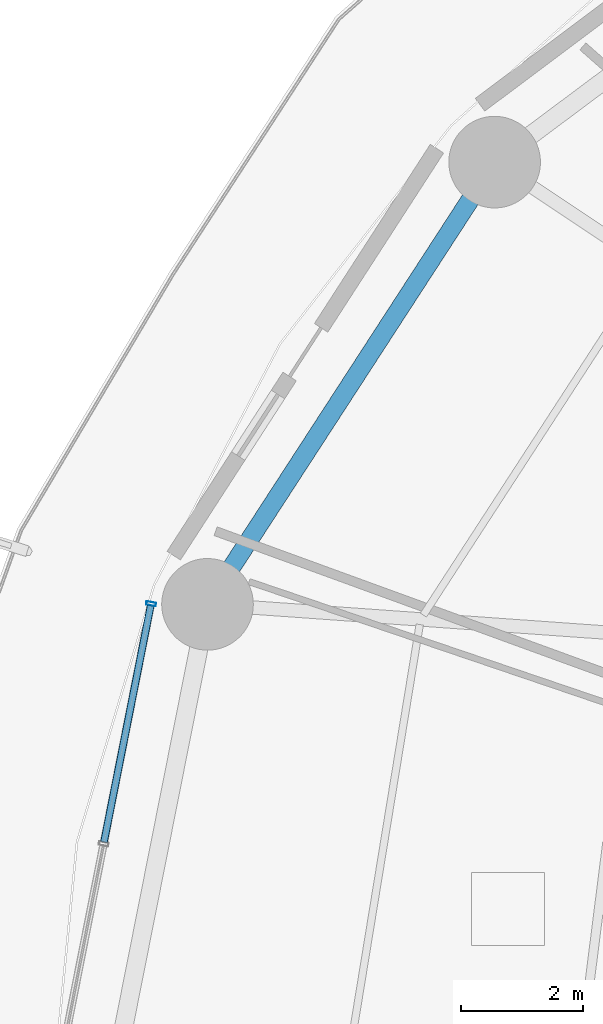
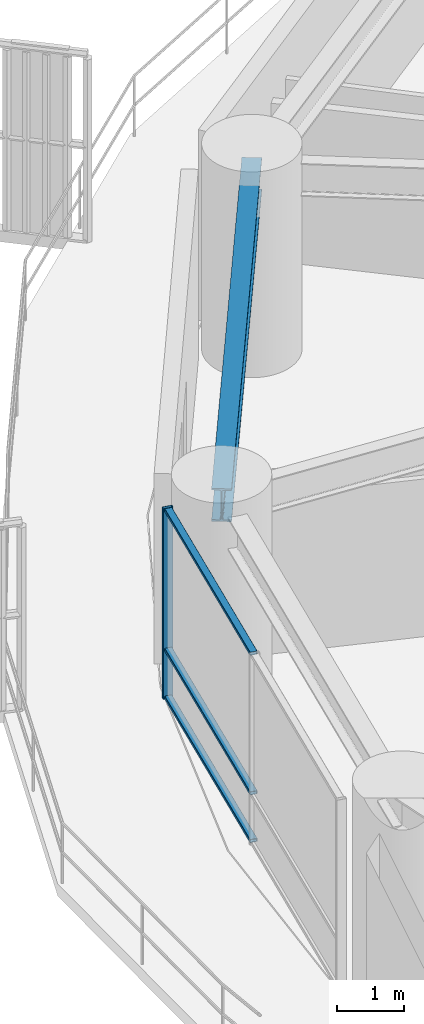
# One storey, part 15 of 33: 4 members, 1 beam, 1 element without a shape of its own.
"""IFC4 building model written with IfcOpenShell, lengths in metres."""

from ifc_helpers import new_model, si_unit, direction, frame, origin, origin_2d, place, context, subcontext, project, spatial, hollow_rectangle, i_section, extrude, material, layer, layer_set, material_profile, profile_set, type_object, element, aggregate, save


model = new_model("IFC4")

# Units and contexts
model_context = context("Model", 3, precision=1e-05, world=origin(), true_north=direction((0.0, 1.0)))
body_context = subcontext(model_context, "Body", "Model", "MODEL_VIEW")
ifc_project = project(units=[si_unit("LENGTHUNIT", "METRE"), si_unit("AREAUNIT", "SQUARE_METRE"), si_unit("VOLUMEUNIT", "CUBIC_METRE"), si_unit("PLANEANGLEUNIT", "RADIAN"), si_unit("MASSUNIT", "GRAM", prefix="KILO")], contexts=[model_context])

# Site, building, storey
site_placement = place(None, origin())
site = spatial("IfcSite", under=ifc_project, at=site_placement, CompositionType="ELEMENT")
building_placement = place(site_placement, origin())
building = spatial("IfcBuilding", under=site, at=building_placement, Name="Kelanora Arch Commons", CompositionType="ELEMENT")
storey_placement = place(building_placement, frame((0.0, 0.0, 41.25)))
storey = spatial("IfcBuildingStorey", under=building, at=storey_placement, Name="L10", CompositionType="ELEMENT", Elevation=41.25)

# Beam
ifc_material_1 = material(Name="Steel S355", Category="steel")
ifc_material_profile_1 = material_profile(ifc_material_1, i_section(OverallWidth=0.300048828125, OverallDepth=0.60009765625, WebThickness=0.015380859375, FlangeThickness=0.030029296875, FilletRadius=0.027099609375, at=origin_2d()), Name="HEB600")
ifc_profile_set_1 = profile_set([ifc_material_profile_1], Name="Steel S355")
beam_type = type_object("IfcBeamType", Name="BM-SPN-Z1", PredefinedType="SPANDREL", material=ifc_profile_set_1)
beam_placement = place(storey_placement, frame((53.255615234375, 73.478271484375, 3.18994140625), z_axis=(-0.544585813928, -0.838705127722, 0.0), x_axis=(0.838705127722, -0.544585813928, 0.0)))
element("IfcBeam", 1, at=beam_placement, inside=storey, type_object=beam_type, Name="Perimeter Spandrel Beam BS-14 L10", PredefinedType="SPANDREL", context=body_context, shape_type="SweptSolid", body=[
    extrude(i_section(OverallWidth=0.300048828125, OverallDepth=0.60009765625, WebThickness=0.015380859375, FlangeThickness=0.030029296875, FilletRadius=0.027099609375, at=origin_2d()), origin(), (0.0, 0.0, 1.0), 8.63525390625),
])

# Curtain wall, members
ifc_material_2 = material(Name="Terracotta ceramic-fritted low-E glass and aluminium", Category="masonry")
ifc_layer = layer(ifc_material_2, 0.159912109375)
ifc_layer_set = layer_set([ifc_layer], Name="Terracotta ceramic-fritted low-E glass and aluminium")
curtain_wall_type = type_object("IfcCurtainWallType", Name="CW-SYS-01", PredefinedType="NOTDEFINED", material=ifc_layer_set)
curtain_wall_placement = place(storey_placement, origin())
curtain_wall = element("IfcCurtainWall", 2, at=curtain_wall_placement, inside=storey, type_object=curtain_wall_type, Name="Unitised Curtain Wall L10-B08", PredefinedType="NOTDEFINED")
ifc_material_3 = material(Name="Powder-coated aluminium terracotta", Category="masonry")
ifc_material_profile_2 = material_profile(ifc_material_3, hollow_rectangle(XDim=0.159912109375, YDim=0.06005859375, WallThickness=0.0048828125, InnerFilletRadius=0.0048828125, OuterFilletRadius=0.010009765625, at=origin_2d()), Name="CWM160x60")
ifc_profile_set_2 = profile_set([ifc_material_profile_2], Name="Powder-coated aluminium terracotta")
member_type_1 = type_object("IfcMemberType", Name="CWM-STD", PredefinedType="MULLION", material=ifc_profile_set_2)
member_1_placement = place(storey_placement, frame((47.628173828125, 66.243896484375, 0.0), z_axis=(0.0, 0.0, 1.0), x_axis=(0.981052110579, -0.193744048498, 0.0)))
member_1 = element("IfcMember", 3, at=member_1_placement, type_object=member_type_1, Name="CW-01 mullion 1", PredefinedType="MULLION", context=body_context, shape_type="SweptSolid", body=[
    extrude(hollow_rectangle(XDim=0.159912109375, YDim=0.06005859375, WallThickness=0.0048828125, InnerFilletRadius=0.0048828125, OuterFilletRadius=0.010009765625, at=origin_2d()), origin(), (0.0, 0.0, 1.0), 3.47509765625),
])
ifc_material_profile_3 = material_profile(ifc_material_3, hollow_rectangle(XDim=0.1201171875, YDim=0.06005859375, WallThickness=0.0048828125, InnerFilletRadius=0.0048828125, OuterFilletRadius=0.010009765625, at=origin_2d()), Name="CWT120x60")
ifc_profile_set_3 = profile_set([ifc_material_profile_3], Name="Powder-coated aluminium terracotta")
member_type_2 = type_object("IfcMemberType", Name="CWT-STD", PredefinedType="USERDEFINED", material=ifc_profile_set_3)
member_2_placement = place(storey_placement, frame((47.622314453125, 66.21435546875, 0.030029296875), z_axis=(-0.193725436624, -0.98105578598, 0.0), x_axis=(0.98105578598, -0.193725436624, 0.0)))
member_2 = element("IfcMember", 4, at=member_2_placement, type_object=member_type_2, Name="CW-01 transom 1.1", ObjectType="TRANSOM", PredefinedType="USERDEFINED", context=body_context, shape_type="SweptSolid", body=[
    extrude(hollow_rectangle(XDim=0.1201171875, YDim=0.06005859375, WallThickness=0.0048828125, InnerFilletRadius=0.0048828125, OuterFilletRadius=0.010009765625, at=origin_2d()), origin(), (0.0, 0.0, 1.0), 3.9482421875),
])
member_3_placement = place(storey_placement, frame((47.622314453125, 66.21435546875, 0.89990234375), z_axis=(-0.193725436624, -0.98105578598, 0.0), x_axis=(0.98105578598, -0.193725436624, 0.0)))
member_3 = element("IfcMember", 5, at=member_3_placement, type_object=member_type_2, Name="CW-01 transom 1.2", ObjectType="TRANSOM", PredefinedType="USERDEFINED", context=body_context, shape_type="SweptSolid", body=[
    extrude(hollow_rectangle(XDim=0.1201171875, YDim=0.06005859375, WallThickness=0.0048828125, InnerFilletRadius=0.0048828125, OuterFilletRadius=0.010009765625, at=origin_2d()), origin(), (0.0, 0.0, 1.0), 3.9482421875),
])
member_4_placement = place(storey_placement, frame((47.622314453125, 66.21435546875, 3.445068359375), z_axis=(-0.193725436624, -0.98105578598, 0.0), x_axis=(0.98105578598, -0.193725436624, 0.0)))
member_4 = element("IfcMember", 6, at=member_4_placement, type_object=member_type_2, Name="CW-01 transom 1.3", ObjectType="TRANSOM", PredefinedType="USERDEFINED", context=body_context, shape_type="SweptSolid", body=[
    extrude(hollow_rectangle(XDim=0.1201171875, YDim=0.06005859375, WallThickness=0.0048828125, InnerFilletRadius=0.0048828125, OuterFilletRadius=0.010009765625, at=origin_2d()), origin(), (0.0, 0.0, 1.0), 3.9482421875),
])
aggregate(curtain_wall, [member_1, member_2, member_3, member_4])

save(model, "model.ifc")
